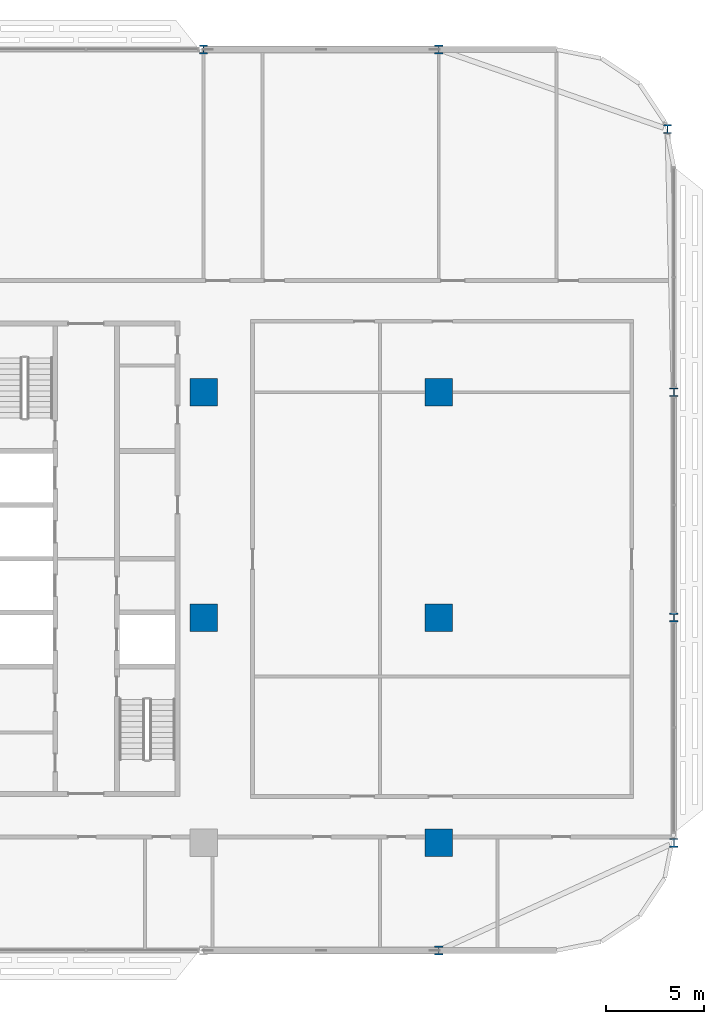
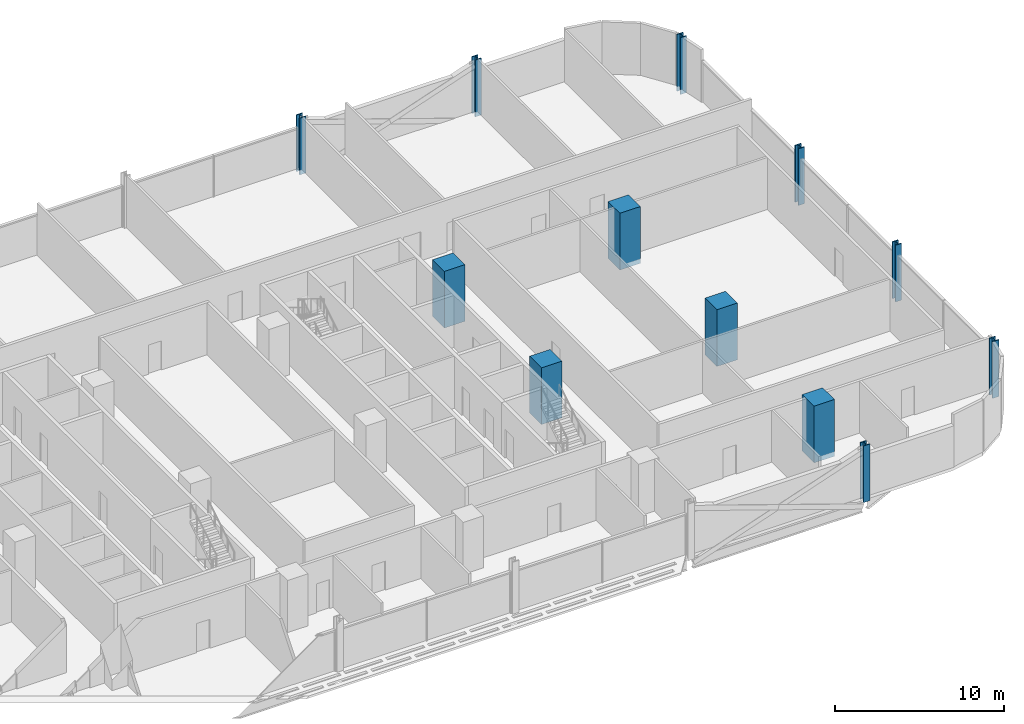
# One storey, part 2 of 29: 12 columns.
"""IFC4 building model written with IfcOpenShell, lengths in metres."""

from ifc_helpers import new_model, si_unit, direction, frame, origin, origin_2d, place, context, subcontext, project, spatial, rectangle, i_section, extrude, material, material_profile, profile_set, type_object, element, save


model = new_model("IFC4")

# Units and contexts
model_context = context("Model", 3, precision=1e-05, world=origin(), true_north=direction((0.0, 1.0)))
body_context = subcontext(model_context, "Body", "Model", "MODEL_VIEW")
ifc_project = project(units=[si_unit("LENGTHUNIT", "METRE"), si_unit("AREAUNIT", "SQUARE_METRE"), si_unit("VOLUMEUNIT", "CUBIC_METRE"), si_unit("PLANEANGLEUNIT", "RADIAN"), si_unit("MASSUNIT", "GRAM", prefix="KILO")], contexts=[model_context])

# Site, building, storey
site_placement = place(None, origin())
site = spatial("IfcSite", under=ifc_project, at=site_placement, CompositionType="ELEMENT")
building_placement = place(site_placement, origin())
building = spatial("IfcBuilding", under=site, at=building_placement, Name="Mahtab Terrace Research Tower", CompositionType="ELEMENT")
storey_placement = place(building_placement, frame((0.0, 0.0, 97.10009765625)))
storey = spatial("IfcBuildingStorey", under=building, at=storey_placement, Name="L22", CompositionType="ELEMENT", Elevation=97.10009765625)

# Columns
ifc_material_1 = material(Name="Concrete C70/85", Category="concrete")
ifc_material_profile_1 = material_profile(ifc_material_1, rectangle(XDim=1.39990234375, YDim=1.39990234375, at=origin_2d()), Name="RC column 1400x1400")
ifc_profile_set_1 = profile_set([ifc_material_profile_1], Name="Concrete C70/85")
column_type_1 = type_object("IfcColumnType", Name="RC column 1400x1400", PredefinedType="COLUMN", material=ifc_profile_set_1)
for number, where, z_axis, x_axis, name in (
    (1, (30.0, 0.0, -0.340087890625), (0.0, 0.0, 1.0), (1.0, 0.0, 0.0), "Column RC-7B L22"),
    (2, (30.0, 11.5, -0.340087890625), (0.0, 0.0, 1.0), (1.0, 0.0, 0.0), "Column RC-7C L22"),
    (3, (42.0, -11.5, -0.340087890625), (0.0, 0.0, 1.0), (1.0, 0.0, 0.0), "Column RC-8A L22"),
    (4, (42.0, 0.0, -0.340087890625), (0.0, 0.0, 1.0), (1.0, 0.0, 0.0), "Column RC-8B L22"),
    (5, (42.0, 11.5, -0.340087890625), (0.0, 0.0, 1.0), (1.0, 0.0, 0.0), "Column RC-8C L22"),
):
    element("IfcColumn", number, at=place(storey_placement, frame(where, z_axis=z_axis, x_axis=x_axis)), inside=storey, type_object=column_type_1, Name=name, PredefinedType="COLUMN", context=body_context, shape_type="SweptSolid", body=[
        extrude(rectangle(XDim=1.39990234375, YDim=1.39990234375, at=origin_2d()), origin(), (0.0, 0.0, 1.0), 4.10009765625),
    ])
ifc_material_2 = material(Name="Steel ASTM A992 Gr 50", Category="steel")
ifc_material_profile_2 = material_profile(ifc_material_2, i_section(OverallWidth=0.419189453125, OverallDepth=0.45458984375, WebThickness=0.042236328125, FlangeThickness=0.067626953125, at=origin_2d()), Name="W14X370")
ifc_profile_set_2 = profile_set([ifc_material_profile_2], Name="Steel ASTM A992 Gr 50")
column_type_2 = type_object("IfcColumnType", Name="W14x370 column CS14370", PredefinedType="COLUMN", material=ifc_profile_set_2)
for number, where, z_axis, x_axis, name in (
    (6, (53.681884765625, 24.927001953125, -0.340087890625), (0.0, 0.0, 1.0), (1.0, 0.0, 0.0), "Column SC-030 L22"),
    (7, (42.0, 29.0, -0.340087890625), (0.0, 0.0, 1.0), (1.0, 0.0, 0.0), "Column SC-031 L22"),
    (8, (30.0, 29.0, -0.340087890625), (0.0, 0.0, 1.0), (1.0, 0.0, 0.0), "Column SC-032 L22"),
    (9, (42.0, -17.0, -0.340087890625), (0.0, 0.0, 1.0), (1.0, 0.0, 0.0), "Column SC-045 L22"),
    (10, (54.0, -11.5, -0.340087890625), (0.0, 0.0, 1.0), (1.0, 0.0, 0.0), "Column SC-027 L22"),
    (11, (54.0, 0.0, -0.340087890625), (0.0, 0.0, 1.0), (1.0, 0.0, 0.0), "Column SC-028 L22"),
    (12, (54.0, 11.5, -0.340087890625), (0.0, 0.0, 1.0), (1.0, 0.0, 0.0), "Column SC-029 L22"),
):
    element("IfcColumn", number, at=place(storey_placement, frame(where, z_axis=z_axis, x_axis=x_axis)), inside=storey, type_object=column_type_2, Name=name, PredefinedType="COLUMN", context=body_context, shape_type="SweptSolid", body=[
        extrude(i_section(OverallWidth=0.419189453125, OverallDepth=0.45458984375, WebThickness=0.042236328125, FlangeThickness=0.067626953125, at=origin_2d()), origin(), (0.0, 0.0, 1.0), 4.10009765625),
    ])

save(model, "model.ifc")
